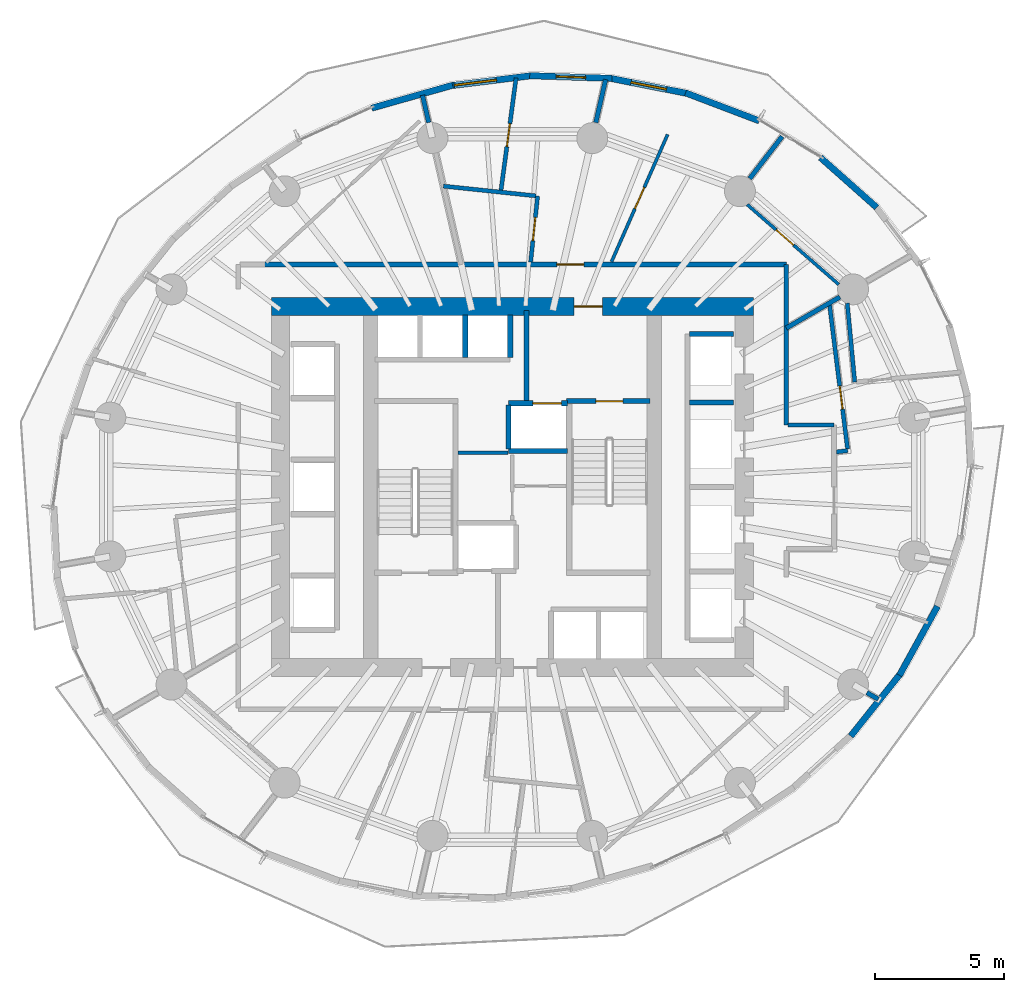
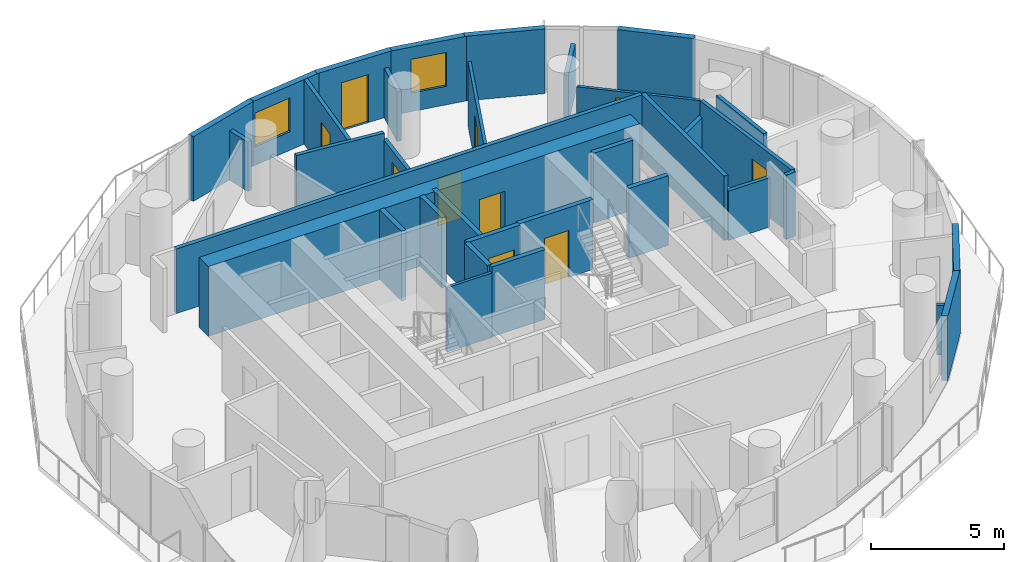
# One storey, part 9 of 14: 35 walls, 10 doors, 2 windows, 12 openings.
"""IFC4 building model written with IfcOpenShell, lengths in metres."""

import ifcopenshell
import ifcopenshell.guid

model = None  # the IFC model being written
_history = None  # IfcOwnerHistory: only IFC2X3 demands one
_inside = {}  # id of a spatial element -> (the spatial element, [elements in it])
_under = {}  # id of a project, library or spatial element -> (it, [spatial elements below it])
_declared = {}  # id of a project -> (the project, [libraries it declares])
_typed = {}  # id of a type object -> (the type object, [elements of that type])
_made_of = {}  # id of a material, layer set ... -> (it, [elements and type objects made of it])


def new_model(schema):
    """Start an empty IFC model of exactly this schema.

    Asked for "IFC4X3", IfcOpenShell would pick the latest addendum, in which some entities
    have other attributes; the version numbers below select the first issue.
    IFC2X3 requires an IfcOwnerHistory on every rooted entity: one is made here for all.
    """
    global model, _history
    if schema == "IFC4X3":
        model = ifcopenshell.file(schema_version=(4, 3, 0, 0))
    else:
        model = ifcopenshell.file(schema=schema)
    _inside.clear()
    _under.clear()
    _declared.clear()
    _typed.clear()
    _made_of.clear()
    _history = None
    if model.schema == "IFC2X3":
        org = make("IfcOrganization", Name="unknown")
        user = make(
            "IfcPersonAndOrganization",
            ThePerson=make("IfcPerson", FamilyName="unknown"),
            TheOrganization=org,
        )
        app = make(
            "IfcApplication",
            ApplicationDeveloper=org,
            Version="unknown",
            ApplicationFullName="unknown",
            ApplicationIdentifier="unknown",
        )
        _history = make(
            "IfcOwnerHistory",
            OwningUser=user,
            OwningApplication=app,
            ChangeAction="ADDED",
            CreationDate=0,
        )
    return model


def make(cls, **values):
    """One entity of the class cls with the attributes given. An attribute that is None is left unset."""
    return model.create_entity(
        cls, **{name: value for name, value in values.items() if value is not None}
    )


def rooted(cls, **values):
    """An entity with a GlobalId (a new one), such as an element, a storey or a relation."""
    return make(cls, GlobalId=ifcopenshell.guid.new(), OwnerHistory=_history, **values)


def si_unit(unit_type, name, prefix=None):
    """IfcSIUnit, for example si_unit("LENGTHUNIT", "METRE", prefix="MILLI")."""
    return make("IfcSIUnit", UnitType=unit_type, Prefix=prefix, Name=name)


def assignment(units):
    """IfcUnitAssignment: the units of a project."""
    return None if units is None else make("IfcUnitAssignment", Units=units)


def point(xyz):
    """IfcCartesianPoint."""
    return None if xyz is None else make("IfcCartesianPoint", Coordinates=xyz)


def direction(xyz):
    """IfcDirection."""
    return None if xyz is None else make("IfcDirection", DirectionRatios=xyz)


def frame(location, z_axis=None, x_axis=None):
    """IfcAxis2Placement3D, a coordinate frame: its origin and axes. An axis left out is left unset."""
    return make(
        "IfcAxis2Placement3D",
        Location=point(location),
        Axis=direction(z_axis),
        RefDirection=direction(x_axis),
    )


def frame_2d(location, x_axis=None):
    """IfcAxis2Placement2D, a coordinate frame in the plane: its origin and x axis."""
    return make(
        "IfcAxis2Placement2D", Location=point(location), RefDirection=direction(x_axis)
    )


def origin():
    """The frame at (0, 0, 0) with its axes left unset."""
    return frame((0.0, 0.0, 0.0))


def place(relative_to, where):
    """IfcLocalPlacement: puts the frame where relative to a parent placement (None: the world)."""
    return make(
        "IfcLocalPlacement", PlacementRelTo=relative_to, RelativePlacement=where
    )


def context(
    kind, dimensions, precision=None, world=None, true_north=None, identifier=None
):
    """IfcGeometricRepresentationContext, for example the 3D "Model" context."""
    return make(
        "IfcGeometricRepresentationContext",
        ContextIdentifier=identifier,
        ContextType=kind,
        CoordinateSpaceDimension=dimensions,
        Precision=precision,
        WorldCoordinateSystem=world,
        TrueNorth=true_north,
    )


def subcontext(parent, identifier, kind, view, scale=None):
    """IfcGeometricRepresentationSubContext, for example "Body" below "Model"."""
    return make(
        "IfcGeometricRepresentationSubContext",
        ContextIdentifier=identifier,
        ContextType=kind,
        ParentContext=parent,
        TargetScale=scale,
        TargetView=view,
    )


def project(units=None, contexts=None):
    """IfcProject with its units and contexts."""
    return rooted(
        "IfcProject",
        Name="project",
        RepresentationContexts=contexts,
        UnitsInContext=assignment(units),
    )


def spatial(cls, under=None, at=None, **own):
    """A site, building, storey or space (cls), placed at a placement, below another one or the project."""
    s = rooted(cls, ObjectPlacement=at, **own)
    if under is not None:
        _under.setdefault(under.id(), (under, []))[1].append(s)
    return s


def profile(cls, at=None, kind="AREA", **sizes):
    """A parametric profile (cls). Its sizes go by their IFC names, for example OverallWidth=200.0."""
    return make(cls, ProfileType=kind, Position=at, **sizes)


def rectangle(**sizes):
    """IfcRectangleProfileDef."""
    return profile("IfcRectangleProfileDef", **sizes)


def extrude(swept, where, along, depth):
    """IfcExtrudedAreaSolid: the profile swept, set in the frame where, extruded along a direction by depth."""
    return make(
        "IfcExtrudedAreaSolid",
        SweptArea=swept,
        Position=where,
        ExtrudedDirection=direction(along),
        Depth=depth,
    )


def shape(context_of_items, identifier, shape_type, items):
    """IfcShapeRepresentation: the items that make up one representation, for example the "Body"."""
    return make(
        "IfcShapeRepresentation",
        ContextOfItems=context_of_items,
        RepresentationIdentifier=identifier,
        RepresentationType=shape_type,
        Items=items,
    )


def material(Name=None, Category=None):
    """IfcMaterial."""
    return make("IfcMaterial", Name=Name, Category=Category)


def layer(
    of_material, thickness, ventilated=None, Name=None, Category=None, Priority=None
):
    """IfcMaterialLayer: one layer of a wall or slab, of a material (None: an air gap)."""
    return make(
        "IfcMaterialLayer",
        Material=of_material,
        LayerThickness=thickness,
        IsVentilated=ventilated,
        Name=Name,
        Category=Category,
        Priority=Priority,
    )


def layer_set(layers, Name=None):
    """IfcMaterialLayerSet."""
    return make("IfcMaterialLayerSet", MaterialLayers=layers, LayerSetName=Name)


def made_of(thing, what):
    """Note that an element or type object is made of a material, layer set ...; save() writes the relation."""
    if what is not None:
        _made_of.setdefault(what.id(), (what, []))[1].append(thing)
    return thing


def type_object(cls, material=None, **own):
    """A type object (cls), such as IfcWallType, which elements share."""
    return made_of(rooted(cls, **own), material)


def element(
    cls,
    number,
    at=None,
    inside=None,
    cuts=None,
    type_object=None,
    material=None,
    context=None,
    identifier="Body",
    shape_type=None,
    held_by="IfcProductDefinitionShape",
    body=None,
    shapes=None,
    **own,
):
    """One element of the class cls, such as IfcWall. Its Tag is "e" and its number.

    at: its placement. inside: the storey or other place that contains it. cuts: it is an
    opening in that element (IfcRelVoidsElement). A single representation is given by context,
    identifier, shape_type and body (its items); several are given by shapes. held_by: the class
    of the entity that holds the representations. save() writes the other relations.
    """
    e = rooted(cls, Tag="e%d" % number, ObjectPlacement=at, **own)
    if body is not None:
        shapes = [shape(context, identifier, shape_type, body)]
    if shapes is not None:
        e.Representation = make(held_by, Representations=shapes)
    if inside is not None:
        _inside.setdefault(inside.id(), (inside, []))[1].append(e)
    if cuts is not None:
        rooted(
            "IfcRelVoidsElement", RelatingBuildingElement=cuts, RelatedOpeningElement=e
        )
    if type_object is not None:
        _typed.setdefault(type_object.id(), (type_object, []))[1].append(e)
    return made_of(e, material)


def fill(opening, filler):
    """IfcRelFillsElement: the door or window that sits in an opening."""
    return rooted(
        "IfcRelFillsElement",
        RelatingOpeningElement=opening,
        RelatedBuildingElement=filler,
    )


def aggregate(whole, parts):
    """IfcRelAggregates: a whole, such as a stair, and the parts it consists of."""
    return rooted("IfcRelAggregates", RelatingObject=whole, RelatedObjects=parts)


def save(model, path):
    """Write the relations noted so far, then the file.

    IfcRelAggregates (storeys below a building ...), IfcRelContainedInSpatialStructure (elements
    in a storey), IfcRelDefinesByType, IfcRelAssociatesMaterial and IfcRelDeclares: one each for
    every whole, place, type object, material and project.
    """
    for whole, parts in _under.values():
        aggregate(whole, parts)
    for where, things in _inside.values():
        rooted(
            "IfcRelContainedInSpatialStructure",
            RelatedElements=things,
            RelatingStructure=where,
        )
    for kind, things in _typed.values():
        rooted("IfcRelDefinesByType", RelatedObjects=things, RelatingType=kind)
    for what, things in _made_of.values():
        rooted("IfcRelAssociatesMaterial", RelatedObjects=things, RelatingMaterial=what)
    for by, libraries in _declared.values():
        rooted("IfcRelDeclares", RelatingContext=by, RelatedDefinitions=libraries)
    model.write(path)


model = new_model("IFC4")

# Units and contexts
model_context = context("Model", 3, precision=1e-05, world=origin(), true_north=direction((0.0, 1.0)))
body_context = subcontext(model_context, "Body", "Model", "MODEL_VIEW")
ifc_project = project(units=[si_unit("LENGTHUNIT", "METRE"), si_unit("AREAUNIT", "SQUARE_METRE"), si_unit("VOLUMEUNIT", "CUBIC_METRE"), si_unit("PLANEANGLEUNIT", "RADIAN"), si_unit("MASSUNIT", "GRAM", prefix="KILO")], contexts=[model_context])

# Site, building, storey
site_placement = place(None, origin())
site = spatial("IfcSite", under=ifc_project, at=site_placement, CompositionType="ELEMENT")
building_placement = place(site_placement, origin())
building = spatial("IfcBuilding", under=site, at=building_placement, Name="Veldorim Arch Residences", CompositionType="ELEMENT")
storey_placement = place(building_placement, frame((0.0, 0.0, 90.080078125)))
storey = spatial("IfcBuildingStorey", under=building, at=storey_placement, Name="L26", CompositionType="ELEMENT", Elevation=90.080078125)

# Wall
ifc_material_1 = material(Name="Acoustic Gypsum Board", Category="gypsum")
ifc_layer_1 = layer(ifc_material_1, 0.125, Name="Acoustic Stud Room Partition Wall 125")
ifc_layer_set_1 = layer_set([ifc_layer_1], Name="Acoustic Gypsum Board")
wall_type_1 = type_object("IfcWallType", Name="Acoustic Stud Room Partition Wall 125", PredefinedType="PARTITIONING", material=ifc_layer_set_1)
wall_1_placement = place(storey_placement, frame((29.889892578125, 25.330078125, 0.0), z_axis=(0.0, 0.0, 1.0), x_axis=(1.0, 0.0, 0.0)))
element("IfcWall", 1, at=wall_1_placement, inside=storey, type_object=wall_type_1, Name="L26 interior wall WL-CA-L26-N", PredefinedType="PARTITIONING", context=body_context, shape_type="SweptSolid", body=[
    extrude(rectangle(XDim=1.940185546875, YDim=0.125, at=frame_2d((0.97021484375, 0.0))), origin(), (0.0, 0.0, 1.0), 2.954833984375),
])

# Wall, opening, door
wall_2_placement = place(storey_placement, frame((38.027099609375, 37.677978515625, 0.0), z_axis=(0.0, 0.0, 1.0), x_axis=(-0.403235845427, -0.91509608947, 0.0)))
wall_2 = element("IfcWall", 2, at=wall_2_placement, inside=storey, type_object=wall_type_1, Name="L26 interior wall WL-RES-L26-029", PredefinedType="PARTITIONING", context=body_context, shape_type="SweptSolid", body=[
    extrude(rectangle(XDim=5.396484375, YDim=0.125, at=frame_2d((2.6982421875, 0.0))), origin(), (0.0, 0.0, 1.0), 2.954833984375),
])
opening_1_placement = place(wall_2_placement, frame((2.248046875, 0.0, 0.0)))
opening_1 = element("IfcOpeningElement", 3, at=opening_1_placement, cuts=wall_2, Name="Opening DR-INT", PredefinedType="OPENING", context=body_context, shape_type="SweptSolid", body=[
    extrude(rectangle(XDim=0.89990234375, YDim=2.10009765625, at=frame_2d((0.449951171875, 1.050048828125))), frame((0.0, 0.072509765625, 0.0), z_axis=(0.0, -1.0, 0.0), x_axis=(1.0, 0.0, 0.0)), (0.0, 0.0, 1.0), 0.14501953125),
])
ifc_material_2 = material(Name="Engineered Timber", Category="wood")
door_type_1 = type_object("IfcDoorType", Name="Apartment Internal Room Timber Door 900x2100", OperationType="SINGLE_SWING_LEFT", PredefinedType="DOOR", material=ifc_material_2)
door_1_placement = place(opening_1_placement, origin())
door_1 = element("IfcDoor", 4, at=door_1_placement, inside=storey, type_object=door_type_1, Name="L26 interior door DR-RES-L26-013", OperationType="SINGLE_SWING_LEFT", OverallHeight=2.10009765625, OverallWidth=0.89990234375, PredefinedType="DOOR", context=body_context, shape_type="SweptSolid", body=[
    extrude(rectangle(XDim=0.89990234375, YDim=2.10009765625, at=frame_2d((0.449951171875, 1.050048828125))), frame((0.0, 0.02490234375, 0.0), z_axis=(0.0, -1.0, 0.0), x_axis=(1.0, 0.0, 0.0)), (0.0, 0.0, 1.0), 0.050048828125),
])
fill(opening_1, door_1)

wall_3_placement = place(storey_placement, frame((41.1123046875, 34.959716796875, 0.0), z_axis=(0.0, 0.0, 1.0), x_axis=(0.753425123405, -0.657533712765, 0.0)))
wall_3 = element("IfcWall", 5, at=wall_3_placement, inside=storey, type_object=wall_type_1, Name="L26 interior wall WL-RES-L26-033", PredefinedType="PARTITIONING", context=body_context, shape_type="SweptSolid", body=[
    extrude(rectangle(XDim=4.72021484375, YDim=0.125, at=frame_2d((2.360107421875, 0.0))), origin(), (0.0, 0.0, 1.0), 2.4033203125),
])
opening_2_placement = place(wall_3_placement, frame((1.489990234375, 0.0, 0.0)))
opening_2 = element("IfcOpeningElement", 6, at=opening_2_placement, cuts=wall_3, Name="Opening DR-INT", PredefinedType="OPENING", context=body_context, shape_type="SweptSolid", body=[
    extrude(rectangle(XDim=0.89990234375, YDim=2.10009765625, at=frame_2d((0.449951171875, 1.050048828125))), frame((0.0, 0.072509765625, 0.0), z_axis=(0.0, -1.0, 0.0), x_axis=(1.0, 0.0, 0.0)), (0.0, 0.0, 1.0), 0.14501953125),
])
door_2_placement = place(opening_2_placement, origin())
door_2 = element("IfcDoor", 7, at=door_2_placement, inside=storey, type_object=door_type_1, Name="L26 interior door DR-RES-L26-014", OperationType="SINGLE_SWING_RIGHT", OverallHeight=2.10009765625, OverallWidth=0.89990234375, PredefinedType="DOOR", context=body_context, shape_type="SweptSolid", body=[
    extrude(rectangle(XDim=0.89990234375, YDim=2.10009765625, at=frame_2d((0.449951171875, 1.050048828125))), frame((0.0, 0.02490234375, 0.0), z_axis=(0.0, -1.0, 0.0), x_axis=(1.0, 0.0, 0.0)), (0.0, 0.0, 1.0), 0.050048828125),
])
fill(opening_2, door_2)

# Walls
ifc_material_3 = material(Name="Lightweight Masonry Block & Gypsum", Category="masonry")
ifc_layer_2 = layer(ifc_material_3, 0.179931640625, Name="Compartment & Corridor Fire-Rated Party Wall 180")
ifc_layer_set_2 = layer_set([ifc_layer_2], Name="Lightweight Masonry Block & Gypsum")
wall_type_2 = type_object("IfcWallType", Name="Compartment & Corridor Fire-Rated Party Wall 180", PredefinedType="PARTITIONING", material=ifc_layer_set_2)
wall_4_placement = place(storey_placement, frame((41.2119140625, 35.965576171875, 0.0), z_axis=(0.0, 0.0, 1.0), x_axis=(0.609991040385, 0.792408310564, 0.0)))
element("IfcWall", 8, at=wall_4_placement, inside=storey, type_object=wall_type_2, Name="L26 interior wall WL-PIER-L26-03", PredefinedType="PARTITIONING", context=body_context, shape_type="SweptSolid", body=[
    extrude(rectangle(XDim=2.0625, YDim=0.179931640625, at=frame_2d((1.03125, 0.0))), origin(), (0.0, 0.0, 1.0), 2.260498046875),
])
wall_5_placement = place(storey_placement, frame((35.240478515625, 38.13916015625, 0.0), z_axis=(0.0, 0.0, 1.0), x_axis=(0.223359217097, 0.974736200281, 0.0)))
element("IfcWall", 9, at=wall_5_placement, inside=storey, type_object=wall_type_2, Name="L26 interior wall WL-PIER-L26-04", PredefinedType="PARTITIONING", context=body_context, shape_type="SweptSolid", body=[
    extrude(rectangle(XDim=1.711669921875, YDim=0.179931640625, at=frame_2d((0.85595703125, 0.0))), origin(), (0.0, 0.0, 1.0), 2.260498046875),
])
wall_6_placement = place(storey_placement, frame((28.759521484375, 38.13916015625, 0.0), z_axis=(0.0, 0.0, 1.0), x_axis=(-0.223287406217, 0.974752652843, 0.0)))
element("IfcWall", 10, at=wall_6_placement, inside=storey, type_object=wall_type_2, Name="L26 interior wall WL-PIER-L26-05", PredefinedType="PARTITIONING", context=body_context, shape_type="SweptSolid", body=[
    extrude(rectangle(XDim=1.089111328125, YDim=0.179931640625, at=frame_2d((0.54443359375, 0.0))), origin(), (0.0, 0.0, 1.0), 2.260498046875),
])
wall_7_placement = place(storey_placement, frame((45.756591796875, 16.022216796875, 0.0), z_axis=(0.0, 0.0, 1.0), x_axis=(0.864981735625, -0.501803344981, 0.0)))
element("IfcWall", 11, at=wall_7_placement, inside=storey, type_object=wall_type_2, Name="L26 interior wall WL-PIER-L26-15", PredefinedType="PARTITIONING", context=body_context, shape_type="SweptSolid", body=[
    extrude(rectangle(XDim=0.51416015625, YDim=0.179931640625, at=frame_2d((0.257080078125, 0.0))), origin(), (0.0, 0.0, 1.0), 2.260498046875),
])
wall_8_placement = place(storey_placement, frame((42.6298828125, 32.6298828125, 0.0), z_axis=(0.0, 0.0, 1.0), x_axis=(0.0, -1.0, 0.0)))
element("IfcWall", 12, at=wall_8_placement, inside=storey, type_object=wall_type_2, Name="L26 interior wall WL-RES-L26-008", PredefinedType="PARTITIONING", context=body_context, shape_type="SweptSolid", body=[
    extrude(rectangle(XDim=6.22998046875, YDim=0.179931640625, at=frame_2d((3.114990234375, 0.0))), origin(), (0.0, 0.0, 1.0), 2.954833984375),
])

# Wall, opening, door
wall_9_placement = place(storey_placement, frame((22.3505859375, 32.6298828125, 0.0), z_axis=(0.0, 0.0, 1.0), x_axis=(1.0, 0.0, 0.0)))
wall_9 = element("IfcWall", 13, at=wall_9_placement, inside=storey, type_object=wall_type_2, Name="L26 interior wall WL-RES-L26-010", PredefinedType="PARTITIONING", context=body_context, shape_type="SweptSolid", body=[
    extrude(rectangle(XDim=20.279296875, YDim=0.179931640625, at=frame_2d((10.1396484375, 0.0))), origin(), (0.0, 0.0, 1.0), 2.954833984375),
])
opening_3_placement = place(wall_9_placement, frame((11.377685546875, 0.0, 0.0)))
opening_3 = element("IfcOpeningElement", 14, at=opening_3_placement, cuts=wall_9, Name="Opening DR-FLT", PredefinedType="OPENING", context=body_context, shape_type="SweptSolid", body=[
    extrude(rectangle(XDim=1.050048828125, YDim=2.14990234375, at=frame_2d((0.52490234375, 1.074951171875))), frame((0.0, 0.099853515625, 0.0), z_axis=(0.0, -1.0, 0.0), x_axis=(1.0, 0.0, 0.0)), (0.0, 0.0, 1.0), 0.199951171875),
])
ifc_material_4 = material(Name="Fire-Rated Timber", Category="wood")
door_type_2 = type_object("IfcDoorType", Name="Apartment Entrance Solid-Core Fire Door 1050x2150", OperationType="SINGLE_SWING_LEFT", PredefinedType="DOOR", material=ifc_material_4)
door_3_placement = place(opening_3_placement, origin())
door_3 = element("IfcDoor", 15, at=door_3_placement, inside=storey, type_object=door_type_2, Name="L26 interior door DR-RES-L26-011", OperationType="SINGLE_SWING_LEFT", OverallHeight=2.14990234375, OverallWidth=1.050048828125, PredefinedType="DOOR", context=body_context, shape_type="SweptSolid", body=[
    extrude(rectangle(XDim=1.050048828125, YDim=2.14990234375, at=frame_2d((0.52490234375, 1.074951171875))), frame((0.0, 0.02490234375, 0.0), z_axis=(0.0, -1.0, 0.0), x_axis=(1.0, 0.0, 0.0)), (0.0, 0.0, 1.0), 0.050048828125),
])
fill(opening_3, door_3)

# Wall
wall_10_placement = place(storey_placement, frame((42.630126953125, 30.16455078125, 0.0), z_axis=(0.0, 0.0, 1.0), x_axis=(0.86502326608, 0.501731750182, 0.0)))
element("IfcWall", 16, at=wall_10_placement, inside=storey, type_object=wall_type_2, Name="L26 interior wall WL-RES-L26-026", PredefinedType="PARTITIONING", context=body_context, shape_type="SweptSolid", body=[
    extrude(rectangle(XDim=2.4072265625, YDim=0.179931640625, at=frame_2d((1.20361328125, 0.0))), origin(), (0.0, 0.0, 1.0), 2.260498046875),
])

# Wall, opening, door
ifc_material_5 = material(Name="Concrete C50/60", Category="concrete")
ifc_layer_3 = layer(ifc_material_5, 0.199951171875, Name="Core Stair & Lift Shaft Enclosure Wall 200")
ifc_layer_set_3 = layer_set([ifc_layer_3], Name="Concrete C50/60")
wall_type_3 = type_object("IfcWallType", Name="Core Stair & Lift Shaft Enclosure Wall 200", PredefinedType="SHEAR", material=ifc_layer_set_3)
wall_11_placement = place(storey_placement, frame((34.110107421875, 27.330078125, 0.0), z_axis=(0.0, 0.0, 1.0), x_axis=(1.0, 0.0, 0.0)))
wall_11 = element("IfcWall", 17, at=wall_11_placement, inside=storey, type_object=wall_type_3, Name="L26 shaft wall WL-SHF-L26-ST2-N", PredefinedType="SHEAR", context=body_context, shape_type="SweptSolid", body=[
    extrude(rectangle(XDim=3.239990234375, YDim=0.199951171875, at=frame_2d((1.6201171875, 0.0))), origin(), (0.0, 0.0, 1.0), 3.199951171875),
])
opening_4_placement = place(wall_11_placement, frame((1.135009765625, 0.0, 0.0)))
opening_4 = element("IfcOpeningElement", 18, at=opening_4_placement, cuts=wall_11, Name="Opening DR-ST", PredefinedType="OPENING", context=body_context, shape_type="SweptSolid", body=[
    extrude(rectangle(XDim=1.050048828125, YDim=2.14990234375, at=frame_2d((0.52490234375, 1.074951171875))), frame((0.0, 0.10986328125, 0.0), z_axis=(0.0, -1.0, 0.0), x_axis=(1.0, 0.0, 0.0)), (0.0, 0.0, 1.0), 0.219970703125),
])
ifc_material_6 = material(Name="Fire-Rated Steel", Category="steel")
door_type_3 = type_object("IfcDoorType", Name="Exit Staircase Self-Closing Fire Door 1050x2150", OperationType="SINGLE_SWING_LEFT", PredefinedType="DOOR", material=ifc_material_6)
door_4_placement = place(opening_4_placement, origin())
door_4 = element("IfcDoor", 19, at=door_4_placement, inside=storey, type_object=door_type_3, Name="L26 interior door DR-L26-ST2", OperationType="SINGLE_SWING_RIGHT", OverallHeight=2.14990234375, OverallWidth=1.050048828125, PredefinedType="DOOR", context=body_context, shape_type="SweptSolid", body=[
    extrude(rectangle(XDim=1.050048828125, YDim=2.14990234375, at=frame_2d((0.52490234375, 1.074951171875))), frame((0.0, 0.02490234375, 0.0), z_axis=(0.0, -1.0, 0.0), x_axis=(1.0, 0.0, 0.0)), (0.0, 0.0, 1.0), 0.050048828125),
])
fill(opening_4, door_4)

# Wall
wall_12_placement = place(storey_placement, frame((32.550048828125, 27.35009765625, 0.0), z_axis=(0.0, 0.0, 1.0), x_axis=(0.0, 1.0, 0.0)))
element("IfcWall", 20, at=wall_12_placement, inside=storey, type_object=wall_type_3, Name="L26 shaft wall WL-FFL2-L26-W", PredefinedType="SHEAR", context=body_context, shape_type="SweptSolid", body=[
    extrude(rectangle(XDim=3.5, YDim=0.199951171875, at=frame_2d((1.75, 0.0))), origin(), (0.0, 0.0, 1.0), 3.199951171875),
])

# Wall, opening, door
wall_13_placement = place(storey_placement, frame((31.85009765625, 27.25, 0.0), z_axis=(0.0, 0.0, 1.0), x_axis=(1.0, 0.0, 0.0)))
wall_13 = element("IfcWall", 21, at=wall_13_placement, inside=storey, type_object=wall_type_3, Name="L26 shaft wall WL-FL02-L26-N", PredefinedType="SHEAR", context=body_context, shape_type="SweptSolid", body=[
    extrude(rectangle(XDim=2.2998046875, YDim=0.199951171875, at=frame_2d((1.14990234375, 0.0))), origin(), (0.0, 0.0, 1.0), 3.199951171875),
])
opening_5_placement = place(wall_13_placement, frame((0.949951171875, 0.0, 0.0)))
opening_5 = element("IfcOpeningElement", 22, at=opening_5_placement, cuts=wall_13, Name="Opening LD-FF", PredefinedType="OPENING", context=body_context, shape_type="SweptSolid", body=[
    extrude(rectangle(XDim=1.10009765625, YDim=2.14990234375, at=frame_2d((0.550048828125, 1.074951171875))), frame((0.0, 0.10986328125, 0.0), z_axis=(0.0, -1.0, 0.0), x_axis=(1.0, 0.0, 0.0)), (0.0, 0.0, 1.0), 0.219970703125),
])
ifc_material_7 = material(Name="Stainless Steel", Category="steel")
door_type_4 = type_object("IfcDoorType", Name="Firefighting Lift Bi-Parting Sliding Landing Door 1100x2150", OperationType="DOUBLE_DOOR_SLIDING", PredefinedType="DOOR", material=ifc_material_7)
door_5_placement = place(opening_5_placement, origin())
door_5 = element("IfcDoor", 23, at=door_5_placement, inside=storey, type_object=door_type_4, Name="L26 lift landing door LD-L26-FL02", OperationType="DOUBLE_DOOR_SLIDING", OverallHeight=2.14990234375, OverallWidth=1.10009765625, PredefinedType="DOOR", context=body_context, shape_type="SweptSolid", body=[
    extrude(rectangle(XDim=1.10009765625, YDim=2.14990234375, at=frame_2d((0.550048828125, 1.074951171875))), frame((0.0, 0.02490234375, 0.0), z_axis=(0.0, -1.0, 0.0), x_axis=(1.0, 0.0, 0.0)), (0.0, 0.0, 1.0), 0.050048828125),
])
fill(opening_5, door_5)

# Walls
wall_14_placement = place(storey_placement, frame((31.85009765625, 25.39990234375, 0.0), z_axis=(0.0, 0.0, 1.0), x_axis=(1.0, 0.0, 0.0)))
element("IfcWall", 24, at=wall_14_placement, inside=storey, type_object=wall_type_3, Name="L26 shaft wall WL-FL02-L26-S", PredefinedType="SHEAR", context=body_context, shape_type="SweptSolid", body=[
    extrude(rectangle(XDim=2.2998046875, YDim=0.199951171875, at=frame_2d((1.14990234375, 0.0))), origin(), (0.0, 0.0, 1.0), 3.199951171875),
])
for number, where, z_axis, x_axis, name in (
    (25, (31.85009765625, 25.469970703125, 0.0), (0.0, 0.0, 1.0), (0.0, 1.0, 0.0), "L26 shaft wall WL-FL02-L26-W"),
    (26, (38.8701171875, 29.93994140625, 0.0), (0.0, 0.0, 1.0), (1.0, 0.0, 0.0), "L26 shaft wall WL-B1-L26-N"),
    (27, (38.8701171875, 27.27490234375, 0.0), (0.0, 0.0, 1.0), (1.0, 0.0, 0.0), "L26 shaft wall WL-B1-L26-D3"),
):
    element("IfcWall", number, at=place(storey_placement, frame(where, z_axis=z_axis, x_axis=x_axis)), inside=storey, type_object=wall_type_3, Name=name, PredefinedType="SHEAR", context=body_context, shape_type="SweptSolid", body=[
        extrude(rectangle(XDim=1.7099609375, YDim=0.199951171875, at=frame_2d((0.85498046875, 0.0))), origin(), (0.0, 0.0, 1.0), 3.199951171875),
    ])
for number, where, z_axis, x_axis, name in (
    (28, (31.919921875, 29.02001953125, 0.0), (0.0, 0.0, 1.0), (0.0, 1.0, 0.0), "L26 shaft wall WL-B3-L26-E"),
    (29, (30.175048828125, 29.02001953125, 0.0), (0.0, 0.0, 1.0), (0.0, 1.0, 0.0), "L26 shaft wall WL-B3-L26-D2"),
):
    element("IfcWall", number, at=place(storey_placement, frame(where, z_axis=z_axis, x_axis=x_axis)), inside=storey, type_object=wall_type_3, Name=name, PredefinedType="SHEAR", context=body_context, shape_type="SweptSolid", body=[
        extrude(rectangle(XDim=1.659912109375, YDim=0.199951171875, at=frame_2d((0.830078125, 0.0))), origin(), (0.0, 0.0, 1.0), 3.199951171875),
    ])

# Wall, opening, door
ifc_material_8 = material(Name="Concrete C60/75", Category="concrete")
ifc_layer_4 = layer(ifc_material_8, 0.699951171875, Name="Mid-Lower Central Core Shear Wall 700")
ifc_layer_set_4 = layer_set([ifc_layer_4], Name="Concrete C60/75")
wall_type_4 = type_object("IfcWallType", Name="Mid-Lower Central Core Shear Wall 700", PredefinedType="SHEAR", material=ifc_layer_set_4)
wall_15_placement = place(storey_placement, frame((22.64990234375, 31.0, 0.0), z_axis=(0.0, 0.0, 1.0), x_axis=(1.0, 0.0, 0.0)))
wall_15 = element("IfcWall", 30, at=wall_15_placement, inside=storey, type_object=wall_type_4, Name="L26 central core north shear wall", PredefinedType="SHEAR", context=body_context, shape_type="SweptSolid", body=[
    extrude(rectangle(XDim=18.7001953125, YDim=0.699951171875, at=frame_2d((9.35009765625, 0.0))), origin(), (0.0, 0.0, 1.0), 3.199951171875),
])
opening_6_placement = place(wall_15_placement, frame((11.75, 0.0, 0.0)))
opening_6 = element("IfcOpeningElement", 31, at=opening_6_placement, cuts=wall_15, Name="Opening DR-FFL", PredefinedType="OPENING", context=body_context, shape_type="SweptSolid", body=[
    extrude(rectangle(XDim=1.10009765625, YDim=2.14990234375, at=frame_2d((0.550048828125, 1.074951171875))), frame((0.0, 0.35986328125, 0.0), z_axis=(0.0, -1.0, 0.0), x_axis=(1.0, 0.0, 0.0)), (0.0, 0.0, 1.0), 0.719970703125),
])
ifc_material_9 = material(Name="Fire-Rated Steel & Vision Glass", Category="steel")
door_type_5 = type_object("IfcDoorType", Name="Firefighting Lobby Smoke-Stop Fire Door 1100x2150", OperationType="SINGLE_SWING_LEFT", PredefinedType="DOOR", material=ifc_material_9)
door_6_placement = place(opening_6_placement, origin())
door_6 = element("IfcDoor", 32, at=door_6_placement, inside=storey, type_object=door_type_5, Name="L26 interior door DR-L26-FFL2", OperationType="SINGLE_SWING_LEFT", OverallHeight=2.14990234375, OverallWidth=1.10009765625, PredefinedType="DOOR", context=body_context, shape_type="SweptSolid", body=[
    extrude(rectangle(XDim=1.10009765625, YDim=2.14990234375, at=frame_2d((0.550048828125, 1.074951171875))), frame((0.0, 0.02490234375, 0.0), z_axis=(0.0, -1.0, 0.0), x_axis=(1.0, 0.0, 0.0)), (0.0, 0.0, 1.0), 0.050048828125),
])
fill(opening_6, door_6)

# Walls
ifc_material_10 = material(Name="Precast concrete C40/50", Category="concrete")
ifc_layer_5 = layer(ifc_material_10, 0.25, Name="Tower Terracotta Spandrel & Pier Wall 250")
ifc_layer_set_5 = layer_set([ifc_layer_5], Name="Precast concrete C40/50")
wall_type_5 = type_object("IfcWallType", Name="Tower Terracotta Spandrel & Pier Wall 250", PredefinedType="SOLIDWALL", material=ifc_layer_set_5)
wall_16_placement = place(storey_placement, frame((43.956787109375, 36.784423828125, 0.0), z_axis=(0.0, 0.0, 1.0), x_axis=(0.747828492436, -0.663891968547, 0.0)))
element("IfcWall", 33, at=wall_16_placement, inside=storey, type_object=wall_type_5, Name="L26 terracotta facade wall 03", PredefinedType="SOLIDWALL", context=body_context, shape_type="SweptSolid", body=[
    extrude(rectangle(XDim=2.923095703125, YDim=0.25, at=frame_2d((1.46142578125, 0.0))), origin(), (0.0, 0.0, 1.0), 2.9599609375),
])
wall_17_placement = place(storey_placement, frame((38.72412109375, 39.29296875, 0.0), z_axis=(0.0, 0.0, 1.0), x_axis=(0.934815891493, -0.355132720277, 0.0)))
element("IfcWall", 34, at=wall_17_placement, inside=storey, type_object=wall_type_5, Name="L26 terracotta facade wall 05", PredefinedType="SOLIDWALL", context=body_context, shape_type="SweptSolid", body=[
    extrude(rectangle(XDim=3.060546875, YDim=0.25, at=frame_2d((1.5302734375, 0.0))), origin(), (0.0, 0.0, 1.0), 2.9599609375),
])

# Wall, opening, window
wall_18_placement = place(storey_placement, frame((35.75830078125, 39.8671875, 0.0), z_axis=(0.0, 0.0, 1.0), x_axis=(0.981187677549, -0.193056316721, 0.0)))
wall_18 = element("IfcWall", 35, at=wall_18_placement, inside=storey, type_object=wall_type_5, Name="L26 terracotta facade wall 06", PredefinedType="SOLIDWALL", context=body_context, shape_type="SweptSolid", body=[
    extrude(rectangle(XDim=3.131103515625, YDim=0.25, at=frame_2d((1.5654296875, 0.0))), origin(), (0.0, 0.0, 1.0), 2.9599609375),
])
opening_7_placement = place(wall_18_placement, frame((0.865966796875, 0.0, 0.85009765625)))
opening_7 = element("IfcOpeningElement", 36, at=opening_7_placement, cuts=wall_18, Name="Opening WN-02", PredefinedType="OPENING", context=body_context, shape_type="SweptSolid", body=[
    extrude(rectangle(XDim=1.39990234375, YDim=1.550048828125, at=frame_2d((0.699951171875, 0.77490234375))), frame((0.0, 0.135009765625, 0.0), z_axis=(0.0, -1.0, 0.0), x_axis=(1.0, 0.0, 0.0)), (0.0, 0.0, 1.0), 0.27001953125),
])
ifc_material_11 = material(Name="Laminated Low-E Glass", Category="glass")
window_type_1 = type_object("IfcWindowType", Name="Residential Casement Window 1400x1550", PartitioningType="SINGLE_PANEL", PredefinedType="WINDOW", material=ifc_material_11)
window_1_placement = place(opening_7_placement, origin())
window_1 = element("IfcWindow", 37, at=window_1_placement, inside=storey, type_object=window_type_1, Name="L26 solar-control facade window 06", OverallHeight=1.550048828125, OverallWidth=1.39990234375, PartitioningType="SINGLE_PANEL", PredefinedType="WINDOW", context=body_context, shape_type="SweptSolid", body=[
    extrude(rectangle(XDim=1.39990234375, YDim=1.550048828125, at=frame_2d((0.699951171875, 0.77490234375))), frame((0.0, 0.030029296875, 0.0), z_axis=(0.0, -1.0, 0.0), x_axis=(1.0, 0.0, 0.0)), (0.0, 0.0, 1.0), 0.06005859375),
])
fill(opening_7, window_1)

# Wall, opening, door
wall_19_placement = place(storey_placement, frame((32.67724609375, 39.959228515625, 0.0), z_axis=(0.0, 0.0, 1.0), x_axis=(0.999464092211, -0.032734208101, 0.0)))
wall_19 = element("IfcWall", 38, at=wall_19_placement, inside=storey, type_object=wall_type_5, Name="L26 terracotta facade wall 07", PredefinedType="SOLIDWALL", context=body_context, shape_type="SweptSolid", body=[
    extrude(rectangle(XDim=3.192138671875, YDim=0.25, at=frame_2d((1.59619140625, 0.0))), origin(), (0.0, 0.0, 1.0), 2.9599609375),
])
opening_8_placement = place(wall_19_placement, frame((1.02099609375, 0.0, 0.0)))
opening_8 = element("IfcOpeningElement", 39, at=opening_8_placement, cuts=wall_19, Name="Opening BL-DR", PredefinedType="OPENING", context=body_context, shape_type="SweptSolid", body=[
    extrude(rectangle(XDim=1.14990234375, YDim=2.199951171875, at=frame_2d((0.574951171875, 1.10009765625))), frame((0.0, 0.135009765625, 0.0), z_axis=(0.0, -1.0, 0.0), x_axis=(1.0, 0.0, 0.0)), (0.0, 0.0, 1.0), 0.27001953125),
])
ifc_material_12 = material(Name="Aluminium & Low-E Glass", Category="aluminium")
door_type_6 = type_object("IfcDoorType", Name="Glazed Planted Balcony Door 1150x2200", OperationType="SINGLE_SWING_LEFT", PredefinedType="DOOR", material=ifc_material_12)
door_7_placement = place(opening_8_placement, origin())
door_7 = element("IfcDoor", 40, at=door_7_placement, inside=storey, type_object=door_type_6, Name="L26 glazed outdoor terrace door BALC-1", OperationType="SINGLE_SWING_LEFT", OverallHeight=2.199951171875, OverallWidth=1.14990234375, PredefinedType="DOOR", context=body_context, shape_type="SweptSolid", body=[
    extrude(rectangle(XDim=1.14990234375, YDim=2.199951171875, at=frame_2d((0.574951171875, 1.10009765625))), frame((0.0, 0.02490234375, 0.0), z_axis=(0.0, -1.0, 0.0), x_axis=(1.0, 0.0, 0.0)), (0.0, 0.0, 1.0), 0.050048828125),
])
fill(opening_8, door_7)

# Wall, opening, window
wall_20_placement = place(storey_placement, frame((29.57470703125, 39.56640625, 0.0), z_axis=(0.0, 0.0, 1.0), x_axis=(0.99241077266, 0.122966899235, 0.0)))
wall_20 = element("IfcWall", 41, at=wall_20_placement, inside=storey, type_object=wall_type_5, Name="L26 terracotta facade wall 08", PredefinedType="SOLIDWALL", context=body_context, shape_type="SweptSolid", body=[
    extrude(rectangle(XDim=3.236328125, YDim=0.25, at=frame_2d((1.6181640625, 0.0))), origin(), (0.0, 0.0, 1.0), 2.9599609375),
])
opening_9_placement = place(wall_20_placement, frame((0.175048828125, 0.0, 0.85009765625)))
opening_9 = element("IfcOpeningElement", 42, at=opening_9_placement, cuts=wall_20, Name="Opening WN-03", PredefinedType="OPENING", context=body_context, shape_type="SweptSolid", body=[
    extrude(rectangle(XDim=1.64990234375, YDim=1.550048828125, at=frame_2d((0.824951171875, 0.77490234375))), frame((0.0, 0.135009765625, 0.0), z_axis=(0.0, -1.0, 0.0), x_axis=(1.0, 0.0, 0.0)), (0.0, 0.0, 1.0), 0.27001953125),
])
ifc_material_13 = material(Name="Laminated Low-E Glass", Category="glass")
window_type_2 = type_object("IfcWindowType", Name="Residential Wide Window 1650x1550", PartitioningType="SINGLE_PANEL", PredefinedType="WINDOW", material=ifc_material_13)
window_2_placement = place(opening_9_placement, origin())
window_2 = element("IfcWindow", 43, at=window_2_placement, inside=storey, type_object=window_type_2, Name="L26 solar-control facade window 08", OverallHeight=1.550048828125, OverallWidth=1.64990234375, PartitioningType="SINGLE_PANEL", PredefinedType="WINDOW", context=body_context, shape_type="SweptSolid", body=[
    extrude(rectangle(XDim=1.64990234375, YDim=1.550048828125, at=frame_2d((0.824951171875, 0.77490234375))), frame((0.0, 0.030029296875, 0.0), z_axis=(0.0, -1.0, 0.0), x_axis=(1.0, 0.0, 0.0)), (0.0, 0.0, 1.0), 0.06005859375),
])
fill(opening_9, window_2)

# Walls
wall_21_placement = place(storey_placement, frame((26.54541015625, 38.699462890625, 0.0), z_axis=(0.0, 0.0, 1.0), x_axis=(0.962134911526, 0.272573681825, 0.0)))
element("IfcWall", 44, at=wall_21_placement, inside=storey, type_object=wall_type_5, Name="L26 terracotta facade wall 09", PredefinedType="SOLIDWALL", context=body_context, shape_type="SweptSolid", body=[
    extrude(rectangle(XDim=3.259521484375, YDim=0.25, at=frame_2d((1.6298828125, 0.0))), origin(), (0.0, 0.0, 1.0), 2.9599609375),
])
wall_22_placement = place(storey_placement, frame((47.083740234375, 16.782958984375, 0.0), z_axis=(0.0, 0.0, 1.0), x_axis=(-0.623134406496, -0.782114768714, 0.0)))
element("IfcWall", 45, at=wall_22_placement, inside=storey, type_object=wall_type_5, Name="L26 terracotta facade wall 31", PredefinedType="SOLIDWALL", context=body_context, shape_type="SweptSolid", body=[
    extrude(rectangle(XDim=3.131103515625, YDim=0.25, at=frame_2d((1.5654296875, 0.0))), origin(), (0.0, 0.0, 1.0), 2.9599609375),
])
wall_23_placement = place(storey_placement, frame((48.500244140625, 19.37109375, 0.0), z_axis=(0.0, 0.0, 1.0), x_axis=(-0.482904421948, -0.875673066426, 0.0)))
element("IfcWall", 46, at=wall_23_placement, inside=storey, type_object=wall_type_5, Name="L26 terracotta facade wall 32", PredefinedType="SOLIDWALL", context=body_context, shape_type="SweptSolid", body=[
    extrude(rectangle(XDim=3.060791015625, YDim=0.25, at=frame_2d((1.5302734375, 0.0))), origin(), (0.0, 0.0, 1.0), 2.9599609375),
])
ifc_material_14 = material(Name="Moisture-Resistant Gypsum & Stud", Category="gypsum")
ifc_layer_6 = layer(ifc_material_14, 0.159912109375, Name="Wet-Area Moisture-Resistant Plumbing Wall 160")
ifc_layer_set_6 = layer_set([ifc_layer_6], Name="Moisture-Resistant Gypsum & Stud")
wall_type_6 = type_object("IfcWallType", Name="Wet-Area Moisture-Resistant Plumbing Wall 160", PredefinedType="PLUMBINGWALL", material=ifc_layer_set_6)
wall_24_placement = place(storey_placement, frame((42.68994140625, 26.39990234375, 0.0), z_axis=(0.0, 0.0, 1.0), x_axis=(1.0, 0.0, 0.0)))
element("IfcWall", 47, at=wall_24_placement, inside=storey, type_object=wall_type_6, Name="L26 interior wall WL-RES-L26-009", PredefinedType="PLUMBINGWALL", context=body_context, shape_type="SweptSolid", body=[
    extrude(rectangle(XDim=1.7900390625, YDim=0.159912109375, at=frame_2d((0.89501953125, 0.0))), origin(), (0.0, 0.0, 1.0), 2.260498046875),
])
wall_25_placement = place(storey_placement, frame((44.99658203125, 31.129638671875, 0.0), z_axis=(0.0, 0.0, 1.0), x_axis=(0.094558062352, -0.995519348302, 0.0)))
element("IfcWall", 48, at=wall_25_placement, inside=storey, type_object=wall_type_6, Name="L26 interior wall WL-RES-L26-021", PredefinedType="PLUMBINGWALL", context=body_context, shape_type="SweptSolid", body=[
    extrude(rectangle(XDim=3.074951171875, YDim=0.159912109375, at=frame_2d((1.53759765625, 0.0))), origin(), (0.0, 0.0, 1.0), 2.954833984375),
])
wall_26_placement = place(storey_placement, frame((44.5791015625, 25.3583984375, 0.0), z_axis=(0.0, 0.0, 1.0), x_axis=(0.992294886409, 0.123898581135, 0.0)))
element("IfcWall", 49, at=wall_26_placement, inside=storey, type_object=wall_type_6, Name="L26 interior wall WL-RES-L26-024", PredefinedType="PLUMBINGWALL", context=body_context, shape_type="SweptSolid", body=[
    extrude(rectangle(XDim=0.44140625, YDim=0.159912109375, at=frame_2d((0.220703125, 0.0))), origin(), (0.0, 0.0, 1.0), 2.954833984375),
])

# Wall, opening, door
wall_27_placement = place(storey_placement, frame((45.009765625, 25.47265625, 0.0), z_axis=(0.0, 0.0, 1.0), x_axis=(-0.123955741663, 0.992287747636, 0.0)))
wall_27 = element("IfcWall", 50, at=wall_27_placement, inside=storey, type_object=wall_type_6, Name="L26 interior wall WL-RES-L26-025", PredefinedType="PLUMBINGWALL", context=body_context, shape_type="SweptSolid", body=[
    extrude(rectangle(XDim=5.705810546875, YDim=0.159912109375, at=frame_2d((2.85302734375, 0.0))), origin(), (0.0, 0.0, 1.0), 2.954833984375),
])
opening_10_placement = place(wall_27_placement, frame((1.56298828125, 0.0, 0.0)))
opening_10 = element("IfcOpeningElement", 51, at=opening_10_placement, cuts=wall_27, Name="Opening DR-INT", PredefinedType="OPENING", context=body_context, shape_type="SweptSolid", body=[
    extrude(rectangle(XDim=0.89990234375, YDim=2.10009765625, at=frame_2d((0.449951171875, 1.050048828125))), frame((0.0, 0.08984375, 0.0), z_axis=(0.0, -1.0, 0.0), x_axis=(1.0, 0.0, 0.0)), (0.0, 0.0, 1.0), 0.179931640625),
])
door_8_placement = place(opening_10_placement, origin())
door_8 = element("IfcDoor", 52, at=door_8_placement, inside=storey, type_object=door_type_1, Name="L26 interior door DR-RES-L26-010", OperationType="SINGLE_SWING_RIGHT", OverallHeight=2.10009765625, OverallWidth=0.89990234375, PredefinedType="DOOR", context=body_context, shape_type="SweptSolid", body=[
    extrude(rectangle(XDim=0.89990234375, YDim=2.10009765625, at=frame_2d((0.449951171875, 1.050048828125))), frame((0.0, 0.02490234375, 0.0), z_axis=(0.0, -1.0, 0.0), x_axis=(1.0, 0.0, 0.0)), (0.0, 0.0, 1.0), 0.050048828125),
])
fill(opening_10, door_8)

wall_28_placement = place(storey_placement, frame((31.552490234375, 35.437744140625, 0.0), z_axis=(0.0, 0.0, 1.0), x_axis=(0.132986130607, 0.991117898671, 0.0)))
wall_28 = element("IfcWall", 53, at=wall_28_placement, inside=storey, type_object=wall_type_6, Name="L26 interior wall WL-RES-L26-028", PredefinedType="PLUMBINGWALL", context=body_context, shape_type="SweptSolid", body=[
    extrude(rectangle(XDim=4.47216796875, YDim=0.159912109375, at=frame_2d((2.236083984375, 0.0))), origin(), (0.0, 0.0, 1.0), 2.954833984375),
])
opening_11_placement = place(wall_28_placement, frame((1.785888671875, 0.0, 0.0)))
opening_11 = element("IfcOpeningElement", 54, at=opening_11_placement, cuts=wall_28, Name="Opening DR-WC", PredefinedType="OPENING", context=body_context, shape_type="SweptSolid", body=[
    extrude(rectangle(XDim=0.89990234375, YDim=2.10009765625, at=frame_2d((0.449951171875, 1.050048828125))), frame((0.0, 0.08984375, 0.0), z_axis=(0.0, -1.0, 0.0), x_axis=(1.0, 0.0, 0.0)), (0.0, 0.0, 1.0), 0.179931640625),
])
ifc_material_15 = material(Name="Laminate Timber", Category="wood")
door_type_7 = type_object("IfcDoorType", Name="Bathroom & Accessible WC Moisture-Sealed Door 900x2100", OperationType="SINGLE_SWING_LEFT", PredefinedType="DOOR", material=ifc_material_15)
door_9_placement = place(opening_11_placement, origin())
door_9 = element("IfcDoor", 55, at=door_9_placement, inside=storey, type_object=door_type_7, Name="L26 interior door DR-RES-L26-012", OperationType="SINGLE_SWING_RIGHT", OverallHeight=2.10009765625, OverallWidth=0.89990234375, PredefinedType="DOOR", context=body_context, shape_type="SweptSolid", body=[
    extrude(rectangle(XDim=0.89990234375, YDim=2.10009765625, at=frame_2d((0.449951171875, 1.050048828125))), frame((0.0, 0.02490234375, 0.0), z_axis=(0.0, -1.0, 0.0), x_axis=(1.0, 0.0, 0.0)), (0.0, 0.0, 1.0), 0.050048828125),
])
fill(opening_11, door_9)

wall_29_placement = place(storey_placement, frame((32.712158203125, 32.7294921875, 0.0), z_axis=(0.0, 0.0, 1.0), x_axis=(0.105094954285, 0.994462191631, 0.0)))
wall_29 = element("IfcWall", 56, at=wall_29_placement, inside=storey, type_object=wall_type_6, Name="L26 interior wall WL-RES-L26-030", PredefinedType="PLUMBINGWALL", context=body_context, shape_type="SweptSolid", body=[
    extrude(rectangle(XDim=2.571533203125, YDim=0.159912109375, at=frame_2d((1.28564453125, 0.0))), origin(), (0.0, 0.0, 1.0), 2.641357421875),
])
opening_12_placement = place(wall_29_placement, frame((0.835693359375, 0.0, 0.0)))
opening_12 = element("IfcOpeningElement", 57, at=opening_12_placement, cuts=wall_29, Name="Opening DR-INT", PredefinedType="OPENING", context=body_context, shape_type="SweptSolid", body=[
    extrude(rectangle(XDim=0.89990234375, YDim=2.10009765625, at=frame_2d((0.449951171875, 1.050048828125))), frame((0.0, 0.08984375, 0.0), z_axis=(0.0, -1.0, 0.0), x_axis=(1.0, 0.0, 0.0)), (0.0, 0.0, 1.0), 0.179931640625),
])
door_10_placement = place(opening_12_placement, origin())
door_10 = element("IfcDoor", 58, at=door_10_placement, inside=storey, type_object=door_type_1, Name="L26 interior door DR-RES-L26-015", OperationType="SINGLE_SWING_LEFT", OverallHeight=2.10009765625, OverallWidth=0.89990234375, PredefinedType="DOOR", context=body_context, shape_type="SweptSolid", body=[
    extrude(rectangle(XDim=0.89990234375, YDim=2.10009765625, at=frame_2d((0.449951171875, 1.050048828125))), frame((0.0, 0.02490234375, 0.0), z_axis=(0.0, -1.0, 0.0), x_axis=(1.0, 0.0, 0.0)), (0.0, 0.0, 1.0), 0.050048828125),
])
fill(opening_12, door_10)

# Wall
wall_30_placement = place(storey_placement, frame((32.922607421875, 35.293212890625, 0.0), z_axis=(0.0, 0.0, 1.0), x_axis=(-0.994472124215, 0.105000924563, 0.0)))
element("IfcWall", 59, at=wall_30_placement, inside=storey, type_object=wall_type_6, Name="L26 interior wall WL-RES-L26-031", PredefinedType="PLUMBINGWALL", context=body_context, shape_type="SweptSolid", body=[
    extrude(rectangle(XDim=3.617919921875, YDim=0.159912109375, at=frame_2d((1.80908203125, 0.0))), origin(), (0.0, 0.0, 1.0), 2.954833984375),
])

save(model, "model.ifc")
